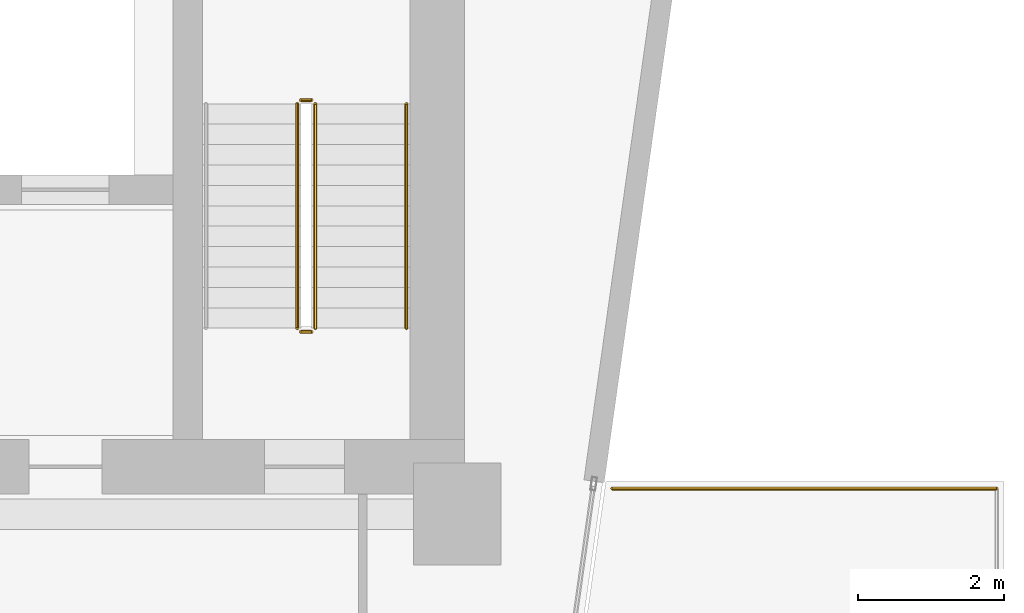
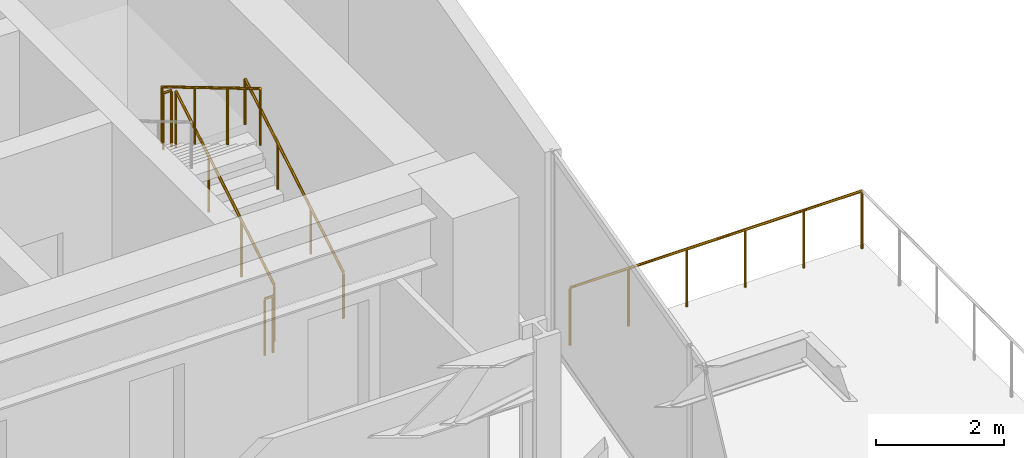
# One storey, part 25 of 25: 6 railings.
"""IFC4 building model written with IfcOpenShell, lengths in metres."""

from ifc_helpers import new_model, si_unit, direction, frame, origin, origin_2d, place, context, subcontext, project, spatial, circle, extrude, material, layer, layer_set, type_object, element, save


model = new_model("IFC4")

# Units and contexts
model_context = context("Model", 3, precision=1e-05, world=origin(), true_north=direction((0.0, 1.0)))
body_context = subcontext(model_context, "Body", "Model", "MODEL_VIEW")
ifc_project = project(units=[si_unit("LENGTHUNIT", "METRE"), si_unit("AREAUNIT", "SQUARE_METRE"), si_unit("VOLUMEUNIT", "CUBIC_METRE"), si_unit("PLANEANGLEUNIT", "RADIAN"), si_unit("MASSUNIT", "GRAM", prefix="KILO")], contexts=[model_context])

# Site, building, storey
site_placement = place(None, origin())
site = spatial("IfcSite", under=ifc_project, at=site_placement, CompositionType="ELEMENT")
building_placement = place(site_placement, origin())
building = spatial("IfcBuilding", under=site, at=building_placement, Name="Kravanh Interchange Tower", CompositionType="ELEMENT")
storey_placement = place(building_placement, frame((0.0, 0.0, 29.5)))
storey = spatial("IfcBuildingStorey", under=building, at=storey_placement, Name="L06", CompositionType="ELEMENT", Elevation=29.5)

# Railings
ifc_material_1 = material(Name="Stainless Steel 316", Category="steel")
ifc_layer_1 = layer(ifc_material_1, 0.06005859375)
ifc_layer_set_1 = layer_set([ifc_layer_1], Name="Perimeter Balcony and Terrace Guardrail Stainless 316 1120mm")
railing_type_1 = type_object("IfcRailingType", Name="Perimeter Balcony and Terrace Guardrail Stainless 316 1120mm", PredefinedType="GUARDRAIL", material=ifc_layer_set_1)
railing_1_placement = place(storey_placement, frame((68.62353515625, 37.699951171875, 0.0)))
element("IfcRailing", 1, at=railing_1_placement, inside=storey, type_object=railing_type_1, Name="L06 Stepped Terrace Guardrail 14", PredefinedType="GUARDRAIL", context=body_context, shape_type="SweptSolid", body=[
    extrude(circle(Radius=0.02392578125, at=origin_2d()), frame((0.0, 0.0, 1.09619140625), z_axis=(1.0, 0.0, 0.0), x_axis=(0.0, 1.0, 0.0)), (0.0, 0.0, 1.0), 5.2763671875),
    extrude(circle(Radius=0.02099609375, at=origin_2d()), origin(), (0.0, 0.0, 1.0), 1.072021484375),
    extrude(circle(Radius=0.02099609375, at=origin_2d()), frame((1.05517578125, 0.0, 0.0)), (0.0, 0.0, 1.0), 1.072021484375),
    extrude(circle(Radius=0.02099609375, at=origin_2d()), frame((2.110595703125, 0.0, 0.0)), (0.0, 0.0, 1.0), 1.072021484375),
    extrude(circle(Radius=0.02099609375, at=origin_2d()), frame((3.165771484375, 0.0, 0.0)), (0.0, 0.0, 1.0), 1.072021484375),
    extrude(circle(Radius=0.02099609375, at=origin_2d()), frame((4.22119140625, 0.0, 0.0)), (0.0, 0.0, 1.0), 1.072021484375),
    extrude(circle(Radius=0.02099609375, at=origin_2d()), frame((5.2763671875, 0.0, 0.0)), (0.0, 0.0, 1.0), 1.072021484375),
])
ifc_material_2 = material(Name="Structural Steel S355", Category="steel")
ifc_layer_2 = layer(ifc_material_2, 0.050048828125)
ifc_layer_set_2 = layer_set([ifc_layer_2], Name="Stair Well Guardrail Structural Steel S355 1100mm")
railing_type_2 = type_object("IfcRailingType", Name="Stair Well Guardrail Structural Steel S355 1100mm", PredefinedType="GUARDRAIL", material=ifc_layer_set_2)
railing_2_placement = place(storey_placement, frame((64.550048828125, 39.89990234375, 0.166748046875)))
element("IfcRailing", 2, at=railing_2_placement, inside=storey, type_object=railing_type_2, Name="L06 ST1 stair guard 1", PredefinedType="GUARDRAIL", context=body_context, shape_type="SweptSolid", body=[
    extrude(circle(Radius=0.02392578125, at=origin_2d()), frame((0.0, 0.0, 1.076171875), z_axis=(0.0, 0.859308565015, 0.511457515432), x_axis=(-1.0, 0.0, 0.0)), (0.0, 0.0, 1.0), 3.58447265625),
    extrude(circle(Radius=0.02099609375, at=origin_2d()), origin(), (0.0, 0.0, 1.0), 1.052001953125),
    extrude(circle(Radius=0.02099609375, at=origin_2d()), frame((0.0, 1.026611328125, 0.611083984375)), (0.0, 0.0, 1.0), 1.052001953125),
    extrude(circle(Radius=0.02099609375, at=origin_2d()), frame((0.0, 2.053466796875, 1.22216796875)), (0.0, 0.0, 1.0), 1.052001953125),
    extrude(circle(Radius=0.02099609375, at=origin_2d()), frame((0.0, 3.080078125, 1.833251953125)), (0.0, 0.0, 1.0), 1.052001953125),
])
railing_3_placement = place(storey_placement, frame((64.5, 43.030029296875, 2.0)))
element("IfcRailing", 3, at=railing_3_placement, inside=storey, type_object=railing_type_2, Name="L06 ST1 stair guard 2", PredefinedType="GUARDRAIL", context=body_context, shape_type="SweptSolid", body=[
    extrude(circle(Radius=0.02392578125, at=origin_2d()), frame((0.0, 0.0, 1.076171875), z_axis=(-1.0, 0.0, 0.0), x_axis=(0.0, -1.0, 0.0)), (0.0, 0.0, 1.0), 0.14990234375),
    extrude(circle(Radius=0.02099609375, at=origin_2d()), origin(), (0.0, 0.0, 1.0), 1.052001953125),
    extrude(circle(Radius=0.02099609375, at=origin_2d()), frame((-0.14990234375, 0.0, 0.0)), (0.0, 0.0, 1.0), 1.052001953125),
])
railing_4_placement = place(storey_placement, frame((64.300048828125, 42.97998046875, 2.166748046875)))
element("IfcRailing", 4, at=railing_4_placement, inside=storey, type_object=railing_type_2, Name="L06 ST1 stair guard 3", PredefinedType="GUARDRAIL", context=body_context, shape_type="SweptSolid", body=[
    extrude(circle(Radius=0.02392578125, at=origin_2d()), frame((0.0, 0.0, 1.076171875), z_axis=(0.0, -0.859308565015, 0.511457515432), x_axis=(1.0, 0.0, 0.0)), (0.0, 0.0, 1.0), 3.58447265625),
    extrude(circle(Radius=0.02099609375, at=origin_2d()), origin(), (0.0, 0.0, 1.0), 1.052001953125),
    extrude(circle(Radius=0.02099609375, at=origin_2d()), frame((0.0, -1.026611328125, 0.611083984375)), (0.0, 0.0, 1.0), 1.052001953125),
    extrude(circle(Radius=0.02099609375, at=origin_2d()), frame((0.0, -2.053466796875, 1.22216796875)), (0.0, 0.0, 1.0), 1.052001953125),
    extrude(circle(Radius=0.02099609375, at=origin_2d()), frame((0.0, -3.080078125, 1.833251953125)), (0.0, 0.0, 1.0), 1.052001953125),
])
railing_5_placement = place(storey_placement, frame((64.5, 39.85009765625, 0.0)))
element("IfcRailing", 5, at=railing_5_placement, inside=storey, type_object=railing_type_2, Name="L06 ST1 stair guard 4", PredefinedType="GUARDRAIL", context=body_context, shape_type="SweptSolid", body=[
    extrude(circle(Radius=0.02392578125, at=origin_2d()), frame((0.0, 0.0, 1.076171875), z_axis=(-1.0, 0.0, 0.0), x_axis=(0.0, -1.0, 0.0)), (0.0, 0.0, 1.0), 0.14990234375),
    extrude(circle(Radius=0.02099609375, at=origin_2d()), origin(), (0.0, 0.0, 1.0), 1.052001953125),
    extrude(circle(Radius=0.02099609375, at=origin_2d()), frame((-0.14990234375, 0.0, 0.0)), (0.0, 0.0, 1.0), 1.052001953125),
])
ifc_material_3 = material(Name="Stainless Steel 304", Category="steel")
ifc_layer_3 = layer(ifc_material_3, 0.044921875)
ifc_layer_set_3 = layer_set([ifc_layer_3], Name="Tubular Stair Handrail Stainless 304 900mm")
railing_type_3 = type_object("IfcRailingType", Name="Tubular Stair Handrail Stainless 304 900mm", PredefinedType="HANDRAIL", material=ifc_layer_set_3)
railing_6_placement = place(storey_placement, frame((65.800048828125, 39.89990234375, 0.166748046875)))
element("IfcRailing", 6, at=railing_6_placement, inside=storey, type_object=railing_type_3, Name="L06 ST1 stair handrail 1", PredefinedType="HANDRAIL", context=body_context, shape_type="SweptSolid", body=[
    extrude(circle(Radius=0.02392578125, at=origin_2d()), frame((0.0, 0.0, 0.8759765625), z_axis=(0.0, 0.859308565015, 0.511457515432), x_axis=(-1.0, 0.0, 0.0)), (0.0, 0.0, 1.0), 3.58447265625),
    extrude(circle(Radius=0.02099609375, at=origin_2d()), origin(), (0.0, 0.0, 1.0), 0.851806640625),
    extrude(circle(Radius=0.02099609375, at=origin_2d()), frame((0.0, 1.026611328125, 0.611083984375)), (0.0, 0.0, 1.0), 0.851806640625),
    extrude(circle(Radius=0.02099609375, at=origin_2d()), frame((0.0, 2.053466796875, 1.22216796875)), (0.0, 0.0, 1.0), 0.851806640625),
    extrude(circle(Radius=0.02099609375, at=origin_2d()), frame((0.0, 3.080078125, 1.833251953125)), (0.0, 0.0, 1.0), 0.851806640625),
])

save(model, "model.ifc")
